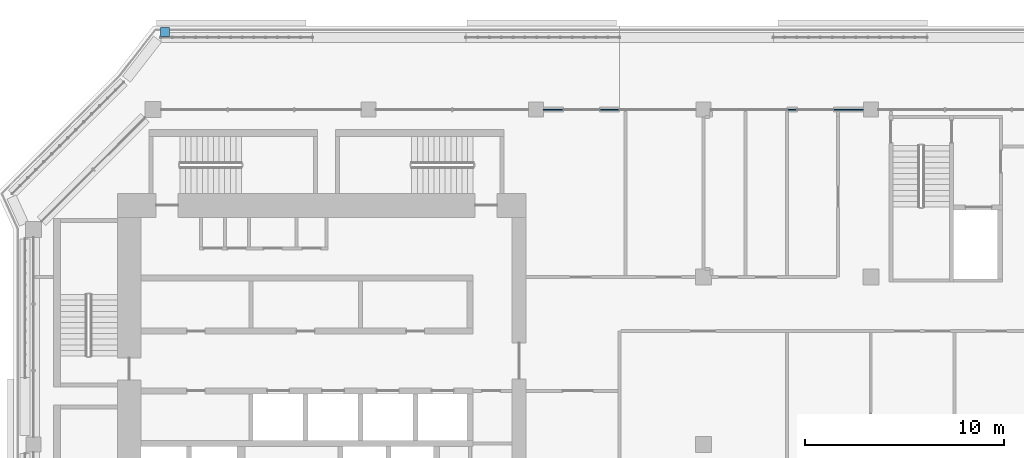
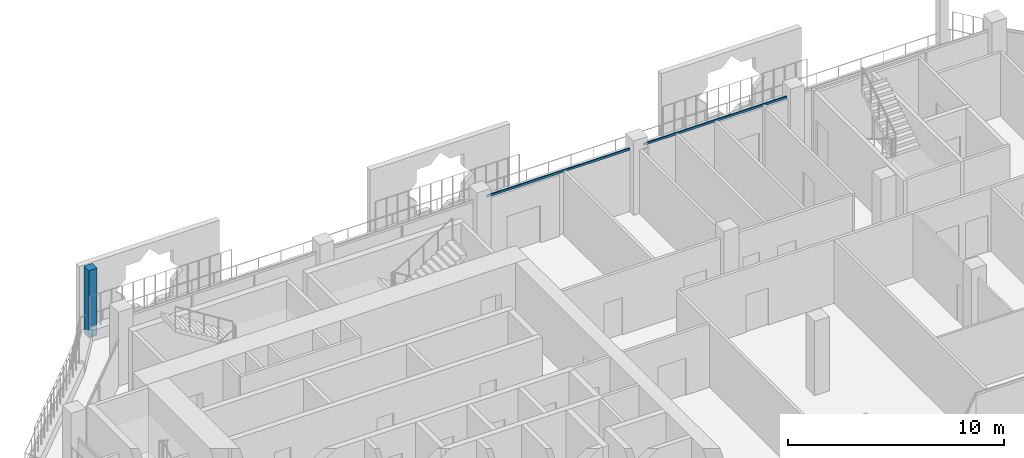
# One storey, part 7 of 21: 3 members, 2 elements without a shape of their own.
"""IFC4 building model written with IfcOpenShell, lengths in metres."""

from ifc_helpers import new_model, si_unit, direction, frame, origin, origin_2d, place, context, subcontext, project, spatial, rectangle, extrude, material, layer, layer_set, material_profile, profile_set, type_object, element, aggregate, save


model = new_model("IFC4")

# Units and contexts
model_context = context("Model", 3, precision=1e-05, world=origin(), true_north=direction((0.0, 1.0)))
body_context = subcontext(model_context, "Body", "Model", "MODEL_VIEW")
ifc_project = project(units=[si_unit("LENGTHUNIT", "METRE"), si_unit("AREAUNIT", "SQUARE_METRE"), si_unit("VOLUMEUNIT", "CUBIC_METRE"), si_unit("PLANEANGLEUNIT", "RADIAN"), si_unit("MASSUNIT", "GRAM", prefix="KILO")], contexts=[model_context])

# Site, building, storey
site_placement = place(None, origin())
site = spatial("IfcSite", under=ifc_project, at=site_placement, CompositionType="ELEMENT")
building_placement = place(site_placement, origin())
building = spatial("IfcBuilding", under=site, at=building_placement, Name="Kawkab Arch Medical Tower", CompositionType="ELEMENT")
storey_placement = place(building_placement, frame((0.0, 0.0, 311.199951171875)))
storey = spatial("IfcBuildingStorey", under=building, at=storey_placement, Name="L72", CompositionType="ELEMENT", Elevation=311.199951171875)

# Curtain wall, members
ifc_material_1 = material(Name="Bronze anodised aluminium curtain wall frame", Category="aluminium")
ifc_layer_1 = layer(ifc_material_1, 0.159912109375)
ifc_layer_set_1 = layer_set([ifc_layer_1], Name="Bronze anodised aluminium curtain wall frame")
curtain_wall_type_1 = type_object("IfcCurtainWallType", Name="CW1 ward curtain wall", PredefinedType="NOTDEFINED", material=ifc_layer_set_1)
placement = place(storey_placement, origin())
curtain_wall_1 = element("IfcCurtainWall", 1, at=placement, inside=storey, type_object=curtain_wall_type_1, Name="CW1 Ward curtain wall R15", PredefinedType="NOTDEFINED")
ifc_material_2 = material(Name="Bronze anodised aluminium curtain wall frame", Category="aluminium")
ifc_material_profile_1 = material_profile(ifc_material_2, rectangle(XDim=0.06005859375, YDim=0.1201171875, at=origin_2d()), Name="AL 60x120")
ifc_profile_set_1 = profile_set([ifc_material_profile_1], Name="Bronze anodised aluminium curtain wall frame")
member_type_1 = type_object("IfcMemberType", Name="CW1 transom 120 x 60", PredefinedType="USERDEFINED", material=ifc_profile_set_1)
member_1_placement = place(storey_placement, frame((41.625, 0.0, 3.5400390625), z_axis=(-1.0, 0.0, 0.0), x_axis=(0.0, -1.0, 0.0)))
member_1 = element("IfcMember", 2, at=member_1_placement, type_object=member_type_1, Name="CW1 transom 2", ObjectType="TRANSOM", PredefinedType="USERDEFINED", context=body_context, shape_type="SweptSolid", body=[
    extrude(rectangle(XDim=0.06005859375, YDim=0.1201171875, at=origin_2d()), origin(), (0.0, 0.0, 1.0), 7.64990234375),
])
member_2_placement = place(storey_placement, frame((33.22509765625, 0.0, 3.5400390625), z_axis=(-1.0, 0.0, 0.0), x_axis=(0.0, -1.0, 0.0)))
member_2 = element("IfcMember", 3, at=member_2_placement, type_object=member_type_1, Name="CW1 transom 3", ObjectType="TRANSOM", PredefinedType="USERDEFINED", context=body_context, shape_type="SweptSolid", body=[
    extrude(rectangle(XDim=0.06005859375, YDim=0.1201171875, at=origin_2d()), origin(), (0.0, 0.0, 1.0), 7.650146484375),
])
aggregate(curtain_wall_1, [member_1, member_2])

# Curtain wall, member
ifc_material_3 = material(Name="Bronze anodised aluminium climber frame, planted", Category="aluminium")
ifc_layer_2 = layer(ifc_material_3, 0.449951171875)
ifc_layer_set_2 = layer_set([ifc_layer_2], Name="Bronze anodised aluminium climber frame, planted")
curtain_wall_type_2 = type_object("IfcCurtainWallType", Name="Planted climber frame", PredefinedType="NOTDEFINED", material=ifc_layer_set_2)
curtain_wall_2 = element("IfcCurtainWall", 4, at=placement, inside=storey, type_object=curtain_wall_type_2, Name="Planted climber frame L72", PredefinedType="NOTDEFINED")
ifc_material_4 = material(Name="Bronze anodised aluminium climber frame, planted", Category="aluminium")
ifc_material_profile_2 = material_profile(ifc_material_4, rectangle(XDim=0.449951171875, YDim=0.449951171875, at=origin_2d()), Name="Post 450x450")
ifc_profile_set_2 = profile_set([ifc_material_profile_2], Name="Bronze anodised aluminium climber frame, planted")
member_type_2 = type_object("IfcMemberType", Name="Planted climber post 450 x 450", PredefinedType="MULLION", material=ifc_profile_set_2)
member_3_placement = place(storey_placement, frame((6.596923828125, 3.89990234375, 0.0), z_axis=(0.0, 0.0, 1.0), x_axis=(1.0, 0.0, 0.0)))
member_3 = element("IfcMember", 5, at=member_3_placement, type_object=member_type_2, Name="Planted climber post L72.LOG-01-01.3", PredefinedType="MULLION", context=body_context, shape_type="SweptSolid", body=[
    extrude(rectangle(XDim=0.449951171875, YDim=0.449951171875, at=origin_2d()), origin(), (0.0, 0.0, 1.0), 3.800048828125),
])
aggregate(curtain_wall_2, [member_3])

save(model, "model.ifc")
